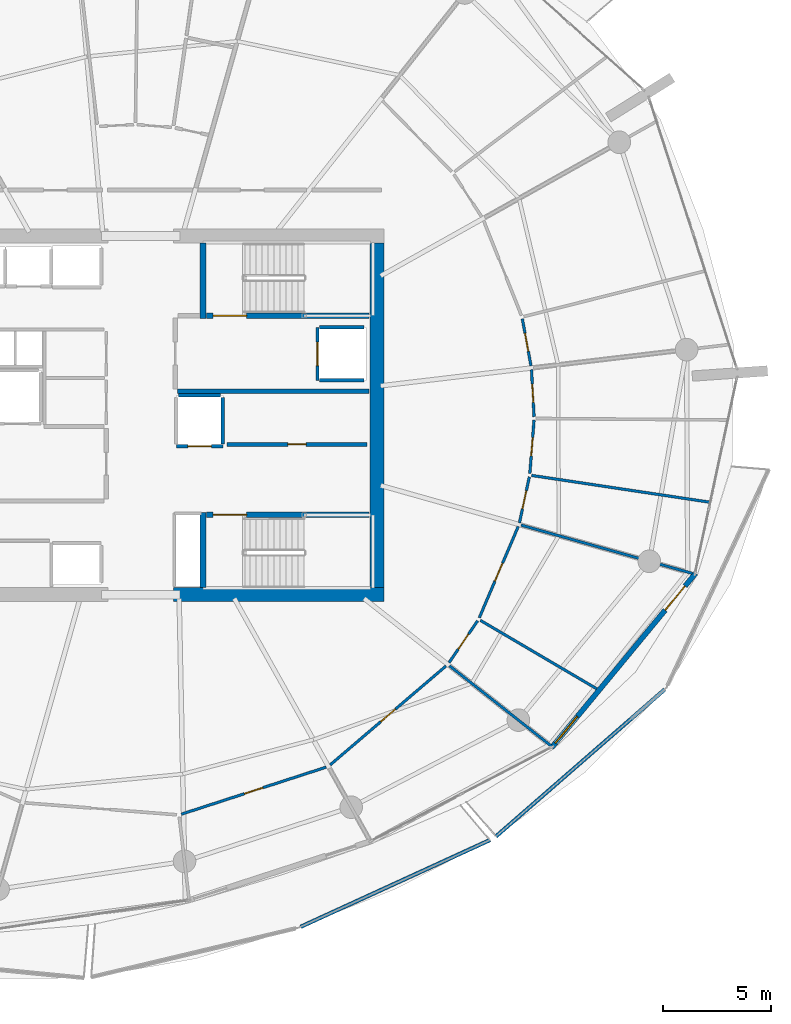
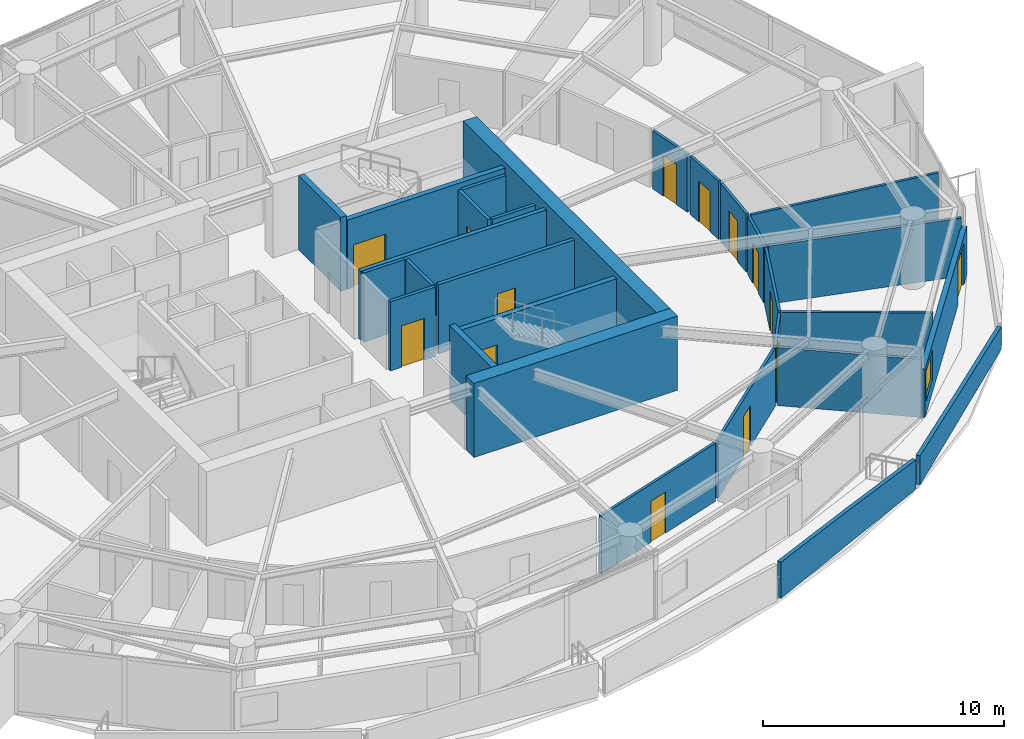
# One storey, part 12 of 19: 29 walls, 14 doors, 1 window, 15 openings.
"""IFC4 building model written with IfcOpenShell, lengths in metres."""

from ifc_helpers import new_model, si_unit, direction, frame, frame_2d, origin, place, context, subcontext, project, spatial, polyline, rectangle, outline, extrude, material, layer, layer_set, type_object, element, fill, save


model = new_model("IFC4")

# Units and contexts
model_context = context("Model", 3, precision=1e-05, world=origin(), true_north=direction((0.0, 1.0)))
body_context = subcontext(model_context, "Body", "Model", "MODEL_VIEW")
ifc_project = project(units=[si_unit("LENGTHUNIT", "METRE"), si_unit("AREAUNIT", "SQUARE_METRE"), si_unit("VOLUMEUNIT", "CUBIC_METRE"), si_unit("PLANEANGLEUNIT", "RADIAN"), si_unit("MASSUNIT", "GRAM", prefix="KILO")], contexts=[model_context])

# Site, building, storey
site_placement = place(None, origin())
site = spatial("IfcSite", under=ifc_project, at=site_placement, CompositionType="ELEMENT")
building_placement = place(site_placement, origin())
building = spatial("IfcBuilding", under=site, at=building_placement, Name="Kazma Halo Residences", CompositionType="ELEMENT")
storey_placement = place(building_placement, frame((0.0, 0.0, 199.050048828125)))
storey = spatial("IfcBuildingStorey", under=building, at=storey_placement, Name="L50", CompositionType="ELEMENT", Elevation=199.050048828125)

# Walls
ifc_material_1 = material(Name="White Concrete C50/60 Balustrade", Category="concrete")
ifc_layer_1 = layer(ifc_material_1, 0.179931640625)
ifc_layer_set_1 = layer_set([ifc_layer_1], Name="White Concrete C50/60 Balustrade")
wall_type_1 = type_object("IfcWallType", Name="WL-BAL-WAVE-180", PredefinedType="PARAPET", material=ifc_layer_set_1)
wall_1_placement = place(storey_placement, frame((55.839111328125, 18.25927734375, 0.0), z_axis=(0.0, 0.0, 1.0), x_axis=(0.9090221771, 0.416747743294, 0.0)))
element("IfcWall", 1, at=wall_1_placement, inside=storey, type_object=wall_type_1, Name="L50 white wave balustrade wall SSE.2", PredefinedType="PARAPET", context=body_context, shape_type="SweptSolid", body=[
    extrude(outline(polyline([(0.0, 0.0), (9.66845703125, 0.0), (9.66845703125, 1.4970703125), (4.834228515625, 1.696044921875), (0.0, 1.83203125), (0.0, 0.0)])), frame((0.0, 0.08984375, 0.0), z_axis=(0.0, -1.0, 0.0), x_axis=(1.0, 0.0, 0.0)), (0.0, 0.0, 1.0), 0.179931640625),
])
wall_2_placement = place(storey_placement, frame((64.90185546875, 22.45361328125, 0.0), z_axis=(0.0, 0.0, 1.0), x_axis=(0.754130048188, 0.65672511024, 0.0)))
element("IfcWall", 2, at=wall_2_placement, inside=storey, type_object=wall_type_1, Name="L50 white wave balustrade wall SE.1", PredefinedType="PARAPET", context=body_context, shape_type="SweptSolid", body=[
    extrude(outline(polyline([(0.0, 0.0), (10.38427734375, 0.0), (10.384033203125, 1.14794921875), (5.192138671875, 1.283935546875), (0.0, 1.48291015625), (0.0, 0.0)])), frame((0.0, 0.08984375, 0.0), z_axis=(0.0, -1.0, 0.0), x_axis=(1.0, 0.0, 0.0)), (0.0, 0.0, 1.0), 0.179931640625),
])
ifc_material_2 = material(Name="Concrete C60/75", Category="concrete")
ifc_layer_2 = layer(ifc_material_2, 0.64990234375)
ifc_layer_set_2 = layer_set([ifc_layer_2], Name="Concrete C60/75")
wall_type_2 = type_object("IfcWallType", Name="WL-CORE-650", PredefinedType="SHEAR", material=ifc_layer_set_2)
wall_3_placement = place(storey_placement, frame((49.949951171875, 33.675048828125, 0.0), z_axis=(0.0, 0.0, 1.0), x_axis=(1.0, 0.0, 0.0)))
element("IfcWall", 3, at=wall_3_placement, inside=storey, type_object=wall_type_2, Name="L50 central core shear wall SE", PredefinedType="SHEAR", context=body_context, shape_type="SweptSolid", body=[
    extrude(rectangle(XDim=9.75, YDim=0.64990234375, at=frame_2d((4.875, 0.0))), origin(), (0.0, 0.0, 1.0), 3.75),
])
wall_4_placement = place(storey_placement, frame((59.375, 34.0, 0.0), z_axis=(0.0, 0.0, 1.0), x_axis=(0.0, 1.0, 0.0)))
element("IfcWall", 4, at=wall_4_placement, inside=storey, type_object=wall_type_2, Name="L50 central core shear wall E", PredefinedType="SHEAR", context=body_context, shape_type="SweptSolid", body=[
    extrude(rectangle(XDim=16.0, YDim=0.64990234375, at=frame_2d((8.0, 0.0))), origin(), (0.0, 0.0, 1.0), 3.75),
])
ifc_layer_3 = layer(ifc_material_2, 0.280029296875)
ifc_layer_set_3 = layer_set([ifc_layer_3], Name="Concrete C60/75")
wall_type_3 = type_object("IfcWallType", Name="WL-CORE-ST-280", PredefinedType="SHEAR", material=ifc_layer_set_3)
for number, where, z_axis, x_axis, name in (
    (5, (51.31005859375, 46.5, 0.0), (0.0, 0.0, 1.0), (0.0, 1.0, 0.0), "L50 stairwell bearing wall ST02-W"),
    (6, (51.31005859375, 34.0, 0.0), (0.0, 0.0, 1.0), (0.0, 1.0, 0.0), "L50 stairwell bearing wall ST03-W"),
):
    element("IfcWall", number, at=place(storey_placement, frame(where, z_axis=z_axis, x_axis=x_axis)), inside=storey, type_object=wall_type_3, Name=name, PredefinedType="SHEAR", context=body_context, shape_type="SweptSolid", body=[
        extrude(rectangle(XDim=3.5, YDim=0.280029296875, at=frame_2d((1.75, 0.0))), origin(), (0.0, 0.0, 1.0), 3.75),
    ])

# Wall, openings, door, window
ifc_material_3 = material(Name="Insulated Pale-Metal Composite Wall")
ifc_layer_4 = layer(ifc_material_3, 0.239990234375)
ifc_layer_set_4 = layer_set([ifc_layer_4], Name="Insulated Pale-Metal Composite Wall")
wall_type_4 = type_object("IfcWallType", Name="WL-EXT-HOST-240", PredefinedType="SOLIDWALL", material=ifc_layer_set_4)
wall_5_placement = place(storey_placement, frame((67.485107421875, 26.57568359375, 0.0), z_axis=(0.0, 0.0, 1.0), x_axis=(0.636759394418, 0.771062561418, 0.0)))
wall_5 = element("IfcWall", 7, at=wall_5_placement, inside=storey, type_object=wall_type_4, Name="L50 exterior terrace-access wall B14", PredefinedType="SOLIDWALL", context=body_context, shape_type="SweptSolid", body=[
    extrude(rectangle(XDim=10.494384765625, YDim=0.239990234375, at=frame_2d((5.2470703125, 0.0))), origin(), (0.0, 0.0, 1.0), 2.449951171875),
])
opening_1_placement = place(wall_5_placement, frame((8.2744140625, 0.0, 0.0)))
opening_1 = element("IfcOpeningElement", 8, at=opening_1_placement, cuts=wall_5, Name="Opening DTR-1600", PredefinedType="OPENING", context=body_context, shape_type="SweptSolid", body=[
    extrude(rectangle(XDim=1.449951171875, YDim=2.14990234375, at=frame_2d((0.72509765625, 1.074951171875))), frame((0.0, 0.1298828125, 0.0), z_axis=(0.0, -1.0, 0.0), x_axis=(1.0, 0.0, 0.0)), (0.0, 0.0, 1.0), 0.260009765625),
])
opening_2_placement = place(wall_5_placement, frame((0.280029296875, 0.0, 0.64990234375)))
opening_2 = element("IfcOpeningElement", 9, at=opening_2_placement, cuts=wall_5, Name="Opening W-1800", PredefinedType="OPENING", context=body_context, shape_type="SweptSolid", body=[
    extrude(rectangle(XDim=1.60009765625, YDim=1.5, at=frame_2d((0.800048828125, 0.75))), frame((0.0, 0.1298828125, 0.0), z_axis=(0.0, -1.0, 0.0), x_axis=(1.0, 0.0, 0.0)), (0.0, 0.0, 1.0), 0.260009765625),
])
ifc_material_4 = material(Name="Aluminium AW-6063 T6 Double-Glazed Terrace Door", Category="aluminium")
door_type_1 = type_object("IfcDoorType", Name="DR-EXT-TERR-1600", OperationType="NOTDEFINED", PredefinedType="DOOR", material=ifc_material_4)
door_1_placement = place(opening_1_placement, origin())
door_1 = element("IfcDoor", 10, at=door_1_placement, inside=storey, type_object=door_type_1, Name="L50 B14 balcony terrace door", OperationType="DOUBLE_DOOR_SLIDING", OverallHeight=2.14990234375, OverallWidth=1.449951171875, PredefinedType="DOOR", context=body_context, shape_type="SweptSolid", body=[
    extrude(rectangle(XDim=1.449951171875, YDim=2.14990234375, at=frame_2d((0.72509765625, 1.074951171875))), frame((0.0, 0.02490234375, 0.0), z_axis=(0.0, -1.0, 0.0), x_axis=(1.0, 0.0, 0.0)), (0.0, 0.0, 1.0), 0.050048828125),
])
fill(opening_1, door_1)
ifc_material_5 = material(Name="Clear Triple-Silver Low-E Glass in Aluminium AW-6063 T6 Frame", Category="aluminium")
window_type = type_object("IfcWindowType", Name="WIN-RES-1800", PartitioningType="DOUBLE_PANEL_VERTICAL", PredefinedType="WINDOW", material=ifc_material_5)
window_placement = place(opening_2_placement, origin())
window = element("IfcWindow", 11, at=window_placement, inside=storey, type_object=window_type, Name="L50 B14 apartment window", OverallHeight=1.5, OverallWidth=1.60009765625, PartitioningType="SINGLE_PANEL", PredefinedType="WINDOW", context=body_context, shape_type="SweptSolid", body=[
    extrude(rectangle(XDim=1.60009765625, YDim=1.5, at=frame_2d((0.800048828125, 0.75))), frame((0.0, 0.030029296875, 0.0), z_axis=(0.0, -1.0, 0.0), x_axis=(1.0, 0.0, 0.0)), (0.0, 0.0, 1.0), 0.06005859375),
])
fill(opening_2, window)

# Wall, opening, door
ifc_material_6 = material(Name="Fire-Rated Blockwork Masonry", Category="masonry")
ifc_layer_5 = layer(ifc_material_6, 0.199951171875)
ifc_layer_set_5 = layer_set([ifc_layer_5], Name="Fire-Rated Blockwork Masonry")
wall_type_5 = type_object("IfcWallType", Name="WL-FLB-200", PredefinedType="PARTITIONING", material=ifc_layer_set_5)
wall_6_placement = place(storey_placement, frame((56.6201171875, 46.080078125, 0.0), z_axis=(0.0, 0.0, 1.0), x_axis=(0.0, -1.0, 0.0)))
wall_6 = element("IfcWall", 12, at=wall_6_placement, inside=storey, type_object=wall_type_5, Name="L50 lift shaft FL-02 front wall", PredefinedType="PARTITIONING", context=body_context, shape_type="SweptSolid", body=[
    extrude(rectangle(XDim=2.4599609375, YDim=0.159912109375, at=frame_2d((1.22998046875, 0.0))), origin(), (0.0, 0.0, 1.0), 3.5),
])
opening_3_placement = place(wall_6_placement, frame((0.679931640625, 0.0, 0.0)))
opening_3 = element("IfcOpeningElement", 13, at=opening_3_placement, cuts=wall_6, Name="Opening LD-FL-02", PredefinedType="OPENING", context=body_context, shape_type="SweptSolid", body=[
    extrude(rectangle(XDim=1.10009765625, YDim=2.10009765625, at=frame_2d((0.550048828125, 1.050048828125))), frame((0.0, 0.08984375, 0.0), z_axis=(0.0, -1.0, 0.0), x_axis=(1.0, 0.0, 0.0)), (0.0, 0.0, 1.0), 0.179931640625),
])
ifc_material_7 = material(Name="Stainless Steel Fire-Rated", Category="steel")
door_type_2 = type_object("IfcDoorType", Name="DR-LIFT-SLD-1100", OperationType="DOUBLE_DOOR_SLIDING", PredefinedType="DOOR", material=ifc_material_7)
door_2_placement = place(opening_3_placement, origin())
door_2 = element("IfcDoor", 14, at=door_2_placement, inside=storey, type_object=door_type_2, Name="L50 lift FL-02 sliding landing door", OperationType="DOUBLE_DOOR_SLIDING", OverallHeight=2.10009765625, OverallWidth=1.10009765625, PredefinedType="DOOR", context=body_context, shape_type="SweptSolid", body=[
    extrude(rectangle(XDim=1.10009765625, YDim=2.10009765625, at=frame_2d((0.550048828125, 1.050048828125))), frame((0.0, 0.02490234375, 0.0), z_axis=(0.0, -1.0, 0.0), x_axis=(1.0, 0.0, 0.0)), (0.0, 0.0, 1.0), 0.050048828125),
])
fill(opening_3, door_2)

# Walls
for number, where, z_axis, x_axis, name in (
    (15, (56.719970703125, 46.080078125, 0.0), (0.0, 0.0, 1.0), (1.0, 0.0, 0.0), "L50 lift shaft FL-02 side wall N"),
    (16, (56.719970703125, 43.6201171875, 0.0), (0.0, 0.0, 1.0), (1.0, 0.0, 0.0), "L50 lift shaft FL-02 side wall S"),
):
    element("IfcWall", number, at=place(storey_placement, frame(where, z_axis=z_axis, x_axis=x_axis)), inside=storey, type_object=wall_type_5, Name=name, PredefinedType="PARTITIONING", context=body_context, shape_type="SweptSolid", body=[
        extrude(rectangle(XDim=2.06005859375, YDim=0.159912109375, at=frame_2d((1.030029296875, 0.0))), origin(), (0.0, 0.0, 1.0), 3.5),
    ])

# Wall, opening, door
wall_7_placement = place(storey_placement, frame((52.22998046875, 40.570068359375, 0.0), z_axis=(0.0, 0.0, 1.0), x_axis=(-1.0, 0.0, 0.0)))
wall_7 = element("IfcWall", 17, at=wall_7_placement, inside=storey, type_object=wall_type_5, Name="L50 lift shaft SV-01 front wall", PredefinedType="PARTITIONING", context=body_context, shape_type="SweptSolid", body=[
    extrude(rectangle(XDim=2.159912109375, YDim=0.159912109375, at=frame_2d((1.080078125, 0.0))), origin(), (0.0, 0.0, 1.0), 3.5),
])
opening_4_placement = place(wall_7_placement, frame((0.530029296875, 0.0, 0.0)))
opening_4 = element("IfcOpeningElement", 18, at=opening_4_placement, cuts=wall_7, Name="Opening LD-SV-01", PredefinedType="OPENING", context=body_context, shape_type="SweptSolid", body=[
    extrude(rectangle(XDim=1.10009765625, YDim=2.10009765625, at=frame_2d((0.550048828125, 1.050048828125))), frame((0.0, 0.08984375, 0.0), z_axis=(0.0, -1.0, 0.0), x_axis=(1.0, 0.0, 0.0)), (0.0, 0.0, 1.0), 0.179931640625),
])
door_3_placement = place(opening_4_placement, origin())
door_3 = element("IfcDoor", 19, at=door_3_placement, inside=storey, type_object=door_type_2, Name="L50 lift SV-01 sliding landing door", OperationType="DOUBLE_DOOR_SLIDING", OverallHeight=2.10009765625, OverallWidth=1.10009765625, PredefinedType="DOOR", context=body_context, shape_type="SweptSolid", body=[
    extrude(rectangle(XDim=1.10009765625, YDim=2.10009765625, at=frame_2d((0.550048828125, 1.050048828125))), frame((0.0, 0.02490234375, 0.0), z_axis=(0.0, -1.0, 0.0), x_axis=(1.0, 0.0, 0.0)), (0.0, 0.0, 1.0), 0.050048828125),
])
fill(opening_4, door_3)

# Walls
wall_8_placement = place(storey_placement, frame((52.22998046875, 40.669921875, 0.0), z_axis=(0.0, 0.0, 1.0), x_axis=(0.0, 1.0, 0.0)))
element("IfcWall", 20, at=wall_8_placement, inside=storey, type_object=wall_type_5, Name="L50 lift shaft SV-01 side wall E", PredefinedType="PARTITIONING", context=body_context, shape_type="SweptSolid", body=[
    extrude(rectangle(XDim=2.16015625, YDim=0.159912109375, at=frame_2d((1.080078125, 0.0))), origin(), (0.0, 0.0, 1.0), 3.5),
])
wall_9_placement = place(storey_placement, frame((50.169921875, 42.929931640625, 0.0), z_axis=(0.0, 0.0, 1.0), x_axis=(1.0, 0.0, 0.0)))
element("IfcWall", 21, at=wall_9_placement, inside=storey, type_object=wall_type_5, Name="L50 lift shaft SV-01 side wall N", PredefinedType="PARTITIONING", context=body_context, shape_type="SweptSolid", body=[
    extrude(rectangle(XDim=1.9599609375, YDim=0.159912109375, at=frame_2d((0.97998046875, 0.0))), origin(), (0.0, 0.0, 1.0), 3.5),
])

# Wall, opening, door
wall_10_placement = place(storey_placement, frame((52.419921875, 40.64990234375, 0.0), z_axis=(0.0, 0.0, 1.0), x_axis=(1.0, 0.0, 0.0)))
wall_10 = element("IfcWall", 22, at=wall_10_placement, inside=storey, type_object=wall_type_5, Name="L50 core east reserve wall", PredefinedType="PARTITIONING", context=body_context, shape_type="SweptSolid", body=[
    extrude(rectangle(XDim=6.5, YDim=0.179931640625, at=frame_2d((3.25, 0.0))), origin(), (0.0, 0.0, 1.0), 3.5),
])
opening_5_placement = place(wall_10_placement, frame((2.824951171875, 0.0, 0.0)))
opening_5 = element("IfcOpeningElement", 23, at=opening_5_placement, cuts=wall_10, Name="Opening DS-850", PredefinedType="OPENING", context=body_context, shape_type="SweptSolid", body=[
    extrude(rectangle(XDim=0.85009765625, YDim=2.06005859375, at=frame_2d((0.425048828125, 1.030029296875))), frame((0.0, 0.099853515625, 0.0), z_axis=(0.0, -1.0, 0.0), x_axis=(1.0, 0.0, 0.0)), (0.0, 0.0, 1.0), 0.199951171875),
])
ifc_material_8 = material(Name="Painted Steel Access Leaf", Category="steel")
door_type_3 = type_object("IfcDoorType", Name="DR-SVC-850", OperationType="NOTDEFINED", PredefinedType="DOOR", material=ifc_material_8)
door_4_placement = place(opening_5_placement, origin())
door_4 = element("IfcDoor", 24, at=door_4_placement, inside=storey, type_object=door_type_3, Name="L50 core east reserve door", OperationType="SINGLE_SWING_LEFT", OverallHeight=2.06005859375, OverallWidth=0.85009765625, PredefinedType="DOOR", context=body_context, shape_type="SweptSolid", body=[
    extrude(rectangle(XDim=0.85009765625, YDim=2.06005859375, at=frame_2d((0.425048828125, 1.030029296875))), frame((0.0, 0.02490234375, 0.0), z_axis=(0.0, -1.0, 0.0), x_axis=(1.0, 0.0, 0.0)), (0.0, 0.0, 1.0), 0.050048828125),
])
fill(opening_5, door_4)

# Wall
wall_11_placement = place(storey_placement, frame((50.1201171875, 43.1201171875, 0.0), z_axis=(0.0, 0.0, 1.0), x_axis=(1.0, 0.0, 0.0)))
element("IfcWall", 25, at=wall_11_placement, inside=storey, type_object=wall_type_5, Name="L50 east firefighting lobby south smoke wall", PredefinedType="PARTITIONING", context=body_context, shape_type="SweptSolid", body=[
    extrude(rectangle(XDim=8.8798828125, YDim=0.199951171875, at=frame_2d((4.43994140625, 0.0))), origin(), (0.0, 0.0, 1.0), 3.5),
])

# Wall, opening, door
ifc_material_9 = material(Name="Gypsum Plasterboard Partition")
ifc_layer_6 = layer(ifc_material_9, 0.125)
ifc_layer_set_6 = layer_set([ifc_layer_6], Name="Gypsum Plasterboard Partition")
wall_type_6 = type_object("IfcWallType", Name="WL-PART-125", PredefinedType="PARTITIONING", material=ifc_layer_set_6)
wall_12_placement = place(storey_placement, frame((50.2998046875, 23.486572265625, 0.0), z_axis=(0.0, 0.0, 1.0), x_axis=(0.9510635117, 0.308995463902, 0.0)))
wall_12 = element("IfcWall", 26, at=wall_12_placement, inside=storey, type_object=wall_type_6, Name="L50 Apartment 4 West Master Bedroom gallery wall", PredefinedType="PARTITIONING", context=body_context, shape_type="SweptSolid", body=[
    extrude(rectangle(XDim=7.067626953125, YDim=0.125, at=frame_2d((3.53369140625, 0.0))), origin(), (0.0, 0.0, 1.0), 2.93994140625),
])
opening_6_placement = place(wall_12_placement, frame((3.083740234375, 0.0, 0.0)))
opening_6 = element("IfcOpeningElement", 27, at=opening_6_placement, cuts=wall_12, Name="Opening DI-950", PredefinedType="OPENING", context=body_context, shape_type="SweptSolid", body=[
    extrude(rectangle(XDim=0.89990234375, YDim=2.080078125, at=frame_2d((0.449951171875, 1.0400390625))), frame((0.0, 0.072509765625, 0.0), z_axis=(0.0, -1.0, 0.0), x_axis=(1.0, 0.0, 0.0)), (0.0, 0.0, 1.0), 0.14501953125),
])
ifc_material_10 = material(Name="Timber Veneer Flush Leaf", Category="wood")
door_type_4 = type_object("IfcDoorType", Name="DR-INT-950", OperationType="NOTDEFINED", PredefinedType="DOOR", material=ifc_material_10)
door_5_placement = place(opening_6_placement, origin())
door_5 = element("IfcDoor", 28, at=door_5_placement, inside=storey, type_object=door_type_4, Name="L50 Apartment 4 West Master Bedroom door", OperationType="SINGLE_SWING_RIGHT", OverallHeight=2.080078125, OverallWidth=0.89990234375, PredefinedType="DOOR", context=body_context, shape_type="SweptSolid", body=[
    extrude(rectangle(XDim=0.89990234375, YDim=2.080078125, at=frame_2d((0.449951171875, 1.0400390625))), frame((0.0, 0.02490234375, 0.0), z_axis=(0.0, -1.0, 0.0), x_axis=(1.0, 0.0, 0.0)), (0.0, 0.0, 1.0), 0.050048828125),
])
fill(opening_6, door_5)

wall_13_placement = place(storey_placement, frame((57.209716796875, 25.77587890625, 0.0), z_axis=(0.0, 0.0, 1.0), x_axis=(0.760406375863, 0.649447567973, 0.0)))
wall_13 = element("IfcWall", 29, at=wall_13_placement, inside=storey, type_object=wall_type_6, Name="L50 Apartment 4 North Formal Dining Room gallery wall", PredefinedType="PARTITIONING", context=body_context, shape_type="SweptSolid", body=[
    extrude(rectangle(XDim=7.0673828125, YDim=0.125, at=frame_2d((3.53369140625, 0.0))), origin(), (0.0, 0.0, 1.0), 2.93994140625),
])
opening_7_placement = place(wall_13_placement, frame((3.083740234375, 0.0, 0.0)))
opening_7 = element("IfcOpeningElement", 30, at=opening_7_placement, cuts=wall_13, Name="Opening DI-950", PredefinedType="OPENING", context=body_context, shape_type="SweptSolid", body=[
    extrude(rectangle(XDim=0.89990234375, YDim=2.080078125, at=frame_2d((0.449951171875, 1.0400390625))), frame((0.0, 0.072509765625, 0.0), z_axis=(0.0, -1.0, 0.0), x_axis=(1.0, 0.0, 0.0)), (0.0, 0.0, 1.0), 0.14501953125),
])
door_6_placement = place(opening_7_placement, origin())
door_6 = element("IfcDoor", 31, at=door_6_placement, inside=storey, type_object=door_type_4, Name="L50 Apartment 4 North Formal Dining Room door", OperationType="SINGLE_SWING_LEFT", OverallHeight=2.080078125, OverallWidth=0.89990234375, PredefinedType="DOOR", context=body_context, shape_type="SweptSolid", body=[
    extrude(rectangle(XDim=0.89990234375, YDim=2.080078125, at=frame_2d((0.449951171875, 1.0400390625))), frame((0.0, 0.02490234375, 0.0), z_axis=(0.0, -1.0, 0.0), x_axis=(1.0, 0.0, 0.0)), (0.0, 0.0, 1.0), 0.050048828125),
])
fill(opening_7, door_6)

# Walls
wall_14_placement = place(storey_placement, frame((62.745849609375, 30.375244140625, 0.0), z_axis=(0.0, 0.0, 1.0), x_axis=(0.785328774221, -0.619078925809, 0.0)))
element("IfcWall", 32, at=wall_14_placement, inside=storey, type_object=wall_type_6, Name="L50 Apartment 4 radial partition 13", PredefinedType="PARTITIONING", context=body_context, shape_type="SweptSolid", body=[
    extrude(rectangle(XDim=6.05029296875, YDim=0.125, at=frame_2d((3.025146484375, 0.0))), origin(), (0.0, 0.0, 1.0), 2.93994140625),
])
wall_15_placement = place(storey_placement, frame((64.176025390625, 32.48486328125, 0.0), z_axis=(0.0, 0.0, 1.0), x_axis=(0.861934215158, -0.507020126563, 0.0)))
element("IfcWall", 33, at=wall_15_placement, inside=storey, type_object=wall_type_6, Name="L50 Apartment 4 mid-bay wall 13", PredefinedType="PARTITIONING", context=body_context, shape_type="SweptSolid", body=[
    extrude(rectangle(XDim=6.269287109375, YDim=0.125, at=frame_2d((3.134765625, 0.0))), origin(), (0.0, 0.0, 1.0), 2.93994140625),
])

# Wall, opening, door
wall_16_placement = place(storey_placement, frame((62.723876953125, 30.519775390625, 0.0), z_axis=(0.0, 0.0, 1.0), x_axis=(0.564301181705, 0.825569001554, 0.0)))
wall_16 = element("IfcWall", 34, at=wall_16_placement, inside=storey, type_object=wall_type_6, Name="L50 Apartment 4 South Dressing Wardrobe hall wall", PredefinedType="PARTITIONING", context=body_context, shape_type="SweptSolid", body=[
    extrude(rectangle(XDim=2.355712890625, YDim=0.125, at=frame_2d((1.177734375, 0.0))), origin(), (0.0, 0.0, 1.0), 2.93994140625),
])
opening_8_placement = place(wall_16_placement, frame((0.7529296875, 0.0, 0.0)))
opening_8 = element("IfcOpeningElement", 35, at=opening_8_placement, cuts=wall_16, Name="Opening DB-900", PredefinedType="OPENING", context=body_context, shape_type="SweptSolid", body=[
    extrude(rectangle(XDim=0.85009765625, YDim=2.06005859375, at=frame_2d((0.425048828125, 1.030029296875))), frame((0.0, 0.072509765625, 0.0), z_axis=(0.0, -1.0, 0.0), x_axis=(1.0, 0.0, 0.0)), (0.0, 0.0, 1.0), 0.14501953125),
])
ifc_material_11 = material(Name="Moisture-Sealed Timber Leaf", Category="wood")
door_type_5 = type_object("IfcDoorType", Name="DR-BTH-900", OperationType="NOTDEFINED", PredefinedType="DOOR", material=ifc_material_11)
door_7_placement = place(opening_8_placement, origin())
door_7 = element("IfcDoor", 36, at=door_7_placement, inside=storey, type_object=door_type_5, Name="L50 Apartment 4 South Dressing Wardrobe door", OperationType="SINGLE_SWING_RIGHT", OverallHeight=2.06005859375, OverallWidth=0.85009765625, PredefinedType="DOOR", context=body_context, shape_type="SweptSolid", body=[
    extrude(rectangle(XDim=0.85009765625, YDim=2.06005859375, at=frame_2d((0.425048828125, 1.030029296875))), frame((0.0, 0.02490234375, 0.0), z_axis=(0.0, -1.0, 0.0), x_axis=(1.0, 0.0, 0.0)), (0.0, 0.0, 1.0), 0.050048828125),
])
fill(opening_8, door_7)

wall_17_placement = place(storey_placement, frame((64.1298828125, 32.60400390625, 0.0), z_axis=(0.0, 0.0, 1.0), x_axis=(0.392433899516, 0.919780209893, 0.0)))
wall_17 = element("IfcWall", 37, at=wall_17_placement, inside=storey, type_object=wall_type_6, Name="L50 Apartment 4 Inner Master Bedroom hall wall", PredefinedType="PARTITIONING", context=body_context, shape_type="SweptSolid", body=[
    extrude(rectangle(XDim=4.603759765625, YDim=0.125, at=frame_2d((2.3017578125, 0.0))), origin(), (0.0, 0.0, 1.0), 2.93994140625),
])
opening_9_placement = place(wall_17_placement, frame((1.851806640625, 0.0, 0.0)))
opening_9 = element("IfcOpeningElement", 38, at=opening_9_placement, cuts=wall_17, Name="Opening DI-950", PredefinedType="OPENING", context=body_context, shape_type="SweptSolid", body=[
    extrude(rectangle(XDim=0.89990234375, YDim=2.080078125, at=frame_2d((0.449951171875, 1.0400390625))), frame((0.0, 0.072509765625, 0.0), z_axis=(0.0, -1.0, 0.0), x_axis=(1.0, 0.0, 0.0)), (0.0, 0.0, 1.0), 0.14501953125),
])
door_8_placement = place(opening_9_placement, origin())
door_8 = element("IfcDoor", 39, at=door_8_placement, inside=storey, type_object=door_type_4, Name="L50 Apartment 4 Inner Master Bedroom door", OperationType="SINGLE_SWING_LEFT", OverallHeight=2.080078125, OverallWidth=0.89990234375, PredefinedType="DOOR", context=body_context, shape_type="SweptSolid", body=[
    extrude(rectangle(XDim=0.89990234375, YDim=2.080078125, at=frame_2d((0.449951171875, 1.0400390625))), frame((0.0, 0.02490234375, 0.0), z_axis=(0.0, -1.0, 0.0), x_axis=(1.0, 0.0, 0.0)), (0.0, 0.0, 1.0), 0.050048828125),
])
fill(opening_9, door_8)

# Walls
wall_18_placement = place(storey_placement, frame((66.072021484375, 36.9033203125, 0.0), z_axis=(0.0, 0.0, 1.0), x_axis=(0.9624482888, -0.271465083179, 0.0)))
element("IfcWall", 40, at=wall_18_placement, inside=storey, type_object=wall_type_6, Name="L50 Apartment 4 radial partition 14", PredefinedType="PARTITIONING", context=body_context, shape_type="SweptSolid", body=[
    extrude(rectangle(XDim=8.253173828125, YDim=0.125, at=frame_2d((4.12646484375, 0.0))), origin(), (0.0, 0.0, 1.0), 2.93994140625),
])
wall_19_placement = place(storey_placement, frame((66.558349609375, 39.209716796875, 0.0), z_axis=(0.0, 0.0, 1.0), x_axis=(0.988887463127, -0.148666019217, 0.0)))
element("IfcWall", 41, at=wall_19_placement, inside=storey, type_object=wall_type_6, Name="L50 Apartment 4 bay wall 1 14", PredefinedType="PARTITIONING", context=body_context, shape_type="SweptSolid", body=[
    extrude(rectangle(XDim=8.360595703125, YDim=0.125, at=frame_2d((4.18017578125, 0.0))), origin(), (0.0, 0.0, 1.0), 2.93994140625),
])

# Wall, opening, door
wall_20_placement = place(storey_placement, frame((65.99267578125, 37.008544921875, 0.0), z_axis=(0.0, 0.0, 1.0), x_axis=(0.210467381842, 0.977600880309, 0.0)))
wall_20 = element("IfcWall", 42, at=wall_20_placement, inside=storey, type_object=wall_type_6, Name="L50 Apartment 4 Outer Bedroom hall wall", PredefinedType="PARTITIONING", context=body_context, shape_type="SweptSolid", body=[
    extrude(rectangle(XDim=2.185546875, YDim=0.125, at=frame_2d((1.0927734375, 0.0))), origin(), (0.0, 0.0, 1.0), 2.93994140625),
])
opening_10_placement = place(wall_20_placement, frame((0.667724609375, 0.0, 0.0)))
opening_10 = element("IfcOpeningElement", 43, at=opening_10_placement, cuts=wall_20, Name="Opening DB-900", PredefinedType="OPENING", context=body_context, shape_type="SweptSolid", body=[
    extrude(rectangle(XDim=0.85009765625, YDim=2.06005859375, at=frame_2d((0.425048828125, 1.030029296875))), frame((0.0, 0.072509765625, 0.0), z_axis=(0.0, -1.0, 0.0), x_axis=(1.0, 0.0, 0.0)), (0.0, 0.0, 1.0), 0.14501953125),
])
door_9_placement = place(opening_10_placement, origin())
door_9 = element("IfcDoor", 44, at=door_9_placement, inside=storey, type_object=door_type_5, Name="L50 Apartment 4 Outer Bedroom door", OperationType="SINGLE_SWING_RIGHT", OverallHeight=2.06005859375, OverallWidth=0.85009765625, PredefinedType="DOOR", context=body_context, shape_type="SweptSolid", body=[
    extrude(rectangle(XDim=0.85009765625, YDim=2.06005859375, at=frame_2d((0.425048828125, 1.030029296875))), frame((0.0, 0.02490234375, 0.0), z_axis=(0.0, -1.0, 0.0), x_axis=(1.0, 0.0, 0.0)), (0.0, 0.0, 1.0), 0.050048828125),
])
fill(opening_10, door_9)

wall_21_placement = place(storey_placement, frame((66.4755859375, 39.302978515625, 0.0), z_axis=(0.0, 0.0, 1.0), x_axis=(0.078519549514, 0.996912574073, 0.0)))
wall_21 = element("IfcWall", 45, at=wall_21_placement, inside=storey, type_object=wall_type_6, Name="L50 Apartment 4 Corner Dressing Wardrobe hall wall", PredefinedType="PARTITIONING", context=body_context, shape_type="SweptSolid", body=[
    extrude(rectangle(XDim=2.47802734375, YDim=0.125, at=frame_2d((1.239013671875, 0.0))), origin(), (0.0, 0.0, 1.0), 2.93994140625),
])
opening_11_placement = place(wall_21_placement, frame((0.814208984375, 0.0, 0.0)))
opening_11 = element("IfcOpeningElement", 46, at=opening_11_placement, cuts=wall_21, Name="Opening DB-900", PredefinedType="OPENING", context=body_context, shape_type="SweptSolid", body=[
    extrude(rectangle(XDim=0.85009765625, YDim=2.06005859375, at=frame_2d((0.425048828125, 1.030029296875))), frame((0.0, 0.072509765625, 0.0), z_axis=(0.0, -1.0, 0.0), x_axis=(1.0, 0.0, 0.0)), (0.0, 0.0, 1.0), 0.14501953125),
])
door_10_placement = place(opening_11_placement, origin())
door_10 = element("IfcDoor", 47, at=door_10_placement, inside=storey, type_object=door_type_5, Name="L50 Apartment 4 Corner Dressing Wardrobe door", OperationType="SINGLE_SWING_LEFT", OverallHeight=2.06005859375, OverallWidth=0.85009765625, PredefinedType="DOOR", context=body_context, shape_type="SweptSolid", body=[
    extrude(rectangle(XDim=0.85009765625, YDim=2.06005859375, at=frame_2d((0.425048828125, 1.030029296875))), frame((0.0, 0.02490234375, 0.0), z_axis=(0.0, -1.0, 0.0), x_axis=(1.0, 0.0, 0.0)), (0.0, 0.0, 1.0), 0.050048828125),
])
fill(opening_11, door_10)

wall_22_placement = place(storey_placement, frame((66.672119140625, 41.93310546875, 0.0), z_axis=(0.0, 0.0, 1.0), x_axis=(-0.054962664786, 0.998488410288, 0.0)))
wall_22 = element("IfcWall", 48, at=wall_22_placement, inside=storey, type_object=wall_type_6, Name="L50 Apartment 4 Garden Bedroom hall wall", PredefinedType="PARTITIONING", context=body_context, shape_type="SweptSolid", body=[
    extrude(rectangle(XDim=2.185546875, YDim=0.125, at=frame_2d((1.0927734375, 0.0))), origin(), (0.0, 0.0, 1.0), 2.93994140625),
])
opening_12_placement = place(wall_22_placement, frame((0.667724609375, 0.0, 0.0)))
opening_12 = element("IfcOpeningElement", 49, at=opening_12_placement, cuts=wall_22, Name="Opening DB-900", PredefinedType="OPENING", context=body_context, shape_type="SweptSolid", body=[
    extrude(rectangle(XDim=0.85009765625, YDim=2.06005859375, at=frame_2d((0.425048828125, 1.030029296875))), frame((0.0, 0.072509765625, 0.0), z_axis=(0.0, -1.0, 0.0), x_axis=(1.0, 0.0, 0.0)), (0.0, 0.0, 1.0), 0.14501953125),
])
door_11_placement = place(opening_12_placement, origin())
door_11 = element("IfcDoor", 50, at=door_11_placement, inside=storey, type_object=door_type_5, Name="L50 Apartment 4 Garden Bedroom door", OperationType="SINGLE_SWING_RIGHT", OverallHeight=2.06005859375, OverallWidth=0.85009765625, PredefinedType="DOOR", context=body_context, shape_type="SweptSolid", body=[
    extrude(rectangle(XDim=0.85009765625, YDim=2.06005859375, at=frame_2d((0.425048828125, 1.030029296875))), frame((0.0, 0.02490234375, 0.0), z_axis=(0.0, -1.0, 0.0), x_axis=(1.0, 0.0, 0.0)), (0.0, 0.0, 1.0), 0.050048828125),
])
fill(opening_12, door_11)

wall_23_placement = place(storey_placement, frame((66.529296875, 44.29345703125, 0.0), z_axis=(0.0, 0.0, 1.0), x_axis=(-0.181126107814, 0.983459878728, 0.0)))
wall_23 = element("IfcWall", 51, at=wall_23_placement, inside=storey, type_object=wall_type_6, Name="L50 Apartment 4 Sky Wine Pantry Store hall wall", PredefinedType="PARTITIONING", context=body_context, shape_type="SweptSolid", body=[
    extrude(rectangle(XDim=2.22412109375, YDim=0.125, at=frame_2d((1.112060546875, 0.0))), origin(), (0.0, 0.0, 1.0), 2.93994140625),
])
opening_13_placement = place(wall_23_placement, frame((0.68701171875, 0.0, 0.0)))
opening_13 = element("IfcOpeningElement", 52, at=opening_13_placement, cuts=wall_23, Name="Opening DB-900", PredefinedType="OPENING", context=body_context, shape_type="SweptSolid", body=[
    extrude(rectangle(XDim=0.85009765625, YDim=2.06005859375, at=frame_2d((0.425048828125, 1.030029296875))), frame((0.0, 0.072509765625, 0.0), z_axis=(0.0, -1.0, 0.0), x_axis=(1.0, 0.0, 0.0)), (0.0, 0.0, 1.0), 0.14501953125),
])
door_12_placement = place(opening_13_placement, origin())
door_12 = element("IfcDoor", 53, at=door_12_placement, inside=storey, type_object=door_type_5, Name="L50 Apartment 4 Sky Wine Pantry Store door", OperationType="SINGLE_SWING_RIGHT", OverallHeight=2.06005859375, OverallWidth=0.85009765625, PredefinedType="DOOR", context=body_context, shape_type="SweptSolid", body=[
    extrude(rectangle(XDim=0.85009765625, YDim=2.06005859375, at=frame_2d((0.425048828125, 1.030029296875))), frame((0.0, 0.02490234375, 0.0), z_axis=(0.0, -1.0, 0.0), x_axis=(1.0, 0.0, 0.0)), (0.0, 0.0, 1.0), 0.050048828125),
])
fill(opening_13, door_12)

ifc_material_12 = material(Name="Concrete C50/60", Category="concrete")
ifc_layer_7 = layer(ifc_material_12, 0.25)
ifc_layer_set_7 = layer_set([ifc_layer_7], Name="Concrete C50/60")
wall_type_7 = type_object("IfcWallType", Name="WL-SHF-250", PredefinedType="SOLIDWALL", material=ifc_layer_set_7)
wall_24_placement = place(storey_placement, frame((51.47998046875, 46.6201171875, 0.0), z_axis=(0.0, 0.0, 1.0), x_axis=(1.0, 0.0, 0.0)))
wall_24 = element("IfcWall", 54, at=wall_24_placement, inside=storey, type_object=wall_type_7, Name="L50 exit stair ST-02 enclosure wall", PredefinedType="SOLIDWALL", context=body_context, shape_type="SweptSolid", body=[
    extrude(rectangle(XDim=7.5400390625, YDim=0.25, at=frame_2d((3.77001953125, 0.0))), origin(), (0.0, 0.0, 1.0), 3.5),
])
opening_14_placement = place(wall_24_placement, frame((0.300048828125, 0.0, 0.0)))
opening_14 = element("IfcOpeningElement", 55, at=opening_14_placement, cuts=wall_24, Name="Opening D-ST2", PredefinedType="OPENING", context=body_context, shape_type="SweptSolid", body=[
    extrude(rectangle(XDim=1.550048828125, YDim=2.14990234375, at=frame_2d((0.77490234375, 1.074951171875))), frame((0.0, 0.135009765625, 0.0), z_axis=(0.0, -1.0, 0.0), x_axis=(1.0, 0.0, 0.0)), (0.0, 0.0, 1.0), 0.27001953125),
])
ifc_material_13 = material(Name="Fire-Rated Double Steel Leaf", Category="steel")
door_type_6 = type_object("IfcDoorType", Name="DR-FD90-1550", OperationType="NOTDEFINED", PredefinedType="DOOR", material=ifc_material_13)
door_13_placement = place(opening_14_placement, origin())
door_13 = element("IfcDoor", 56, at=door_13_placement, inside=storey, type_object=door_type_6, Name="L50 exit stair ST-02 fire door", OperationType="DOUBLE_DOOR_SINGLE_SWING", OverallHeight=2.14990234375, OverallWidth=1.550048828125, PredefinedType="DOOR", context=body_context, shape_type="SweptSolid", body=[
    extrude(rectangle(XDim=1.550048828125, YDim=2.14990234375, at=frame_2d((0.77490234375, 1.074951171875))), frame((0.0, 0.02490234375, 0.0), z_axis=(0.0, -1.0, 0.0), x_axis=(1.0, 0.0, 0.0)), (0.0, 0.0, 1.0), 0.050048828125),
])
fill(opening_14, door_13)

wall_25_placement = place(storey_placement, frame((51.47998046875, 37.3798828125, 0.0), z_axis=(0.0, 0.0, 1.0), x_axis=(1.0, 0.0, 0.0)))
wall_25 = element("IfcWall", 57, at=wall_25_placement, inside=storey, type_object=wall_type_7, Name="L50 exit stair ST-03 enclosure wall", PredefinedType="SOLIDWALL", context=body_context, shape_type="SweptSolid", body=[
    extrude(rectangle(XDim=7.5400390625, YDim=0.25, at=frame_2d((3.77001953125, 0.0))), origin(), (0.0, 0.0, 1.0), 3.5),
])
opening_15_placement = place(wall_25_placement, frame((0.300048828125, 0.0, 0.0)))
opening_15 = element("IfcOpeningElement", 58, at=opening_15_placement, cuts=wall_25, Name="Opening D-ST3", PredefinedType="OPENING", context=body_context, shape_type="SweptSolid", body=[
    extrude(rectangle(XDim=1.550048828125, YDim=2.14990234375, at=frame_2d((0.77490234375, 1.074951171875))), frame((0.0, 0.135009765625, 0.0), z_axis=(0.0, -1.0, 0.0), x_axis=(1.0, 0.0, 0.0)), (0.0, 0.0, 1.0), 0.27001953125),
])
door_14_placement = place(opening_15_placement, origin())
door_14 = element("IfcDoor", 59, at=door_14_placement, inside=storey, type_object=door_type_6, Name="L50 exit stair ST-03 fire door", OperationType="DOUBLE_DOOR_SINGLE_SWING", OverallHeight=2.14990234375, OverallWidth=1.550048828125, PredefinedType="DOOR", context=body_context, shape_type="SweptSolid", body=[
    extrude(rectangle(XDim=1.550048828125, YDim=2.14990234375, at=frame_2d((0.77490234375, 1.074951171875))), frame((0.0, 0.02490234375, 0.0), z_axis=(0.0, -1.0, 0.0), x_axis=(1.0, 0.0, 0.0)), (0.0, 0.0, 1.0), 0.050048828125),
])
fill(opening_15, door_14)

save(model, "model.ifc")
